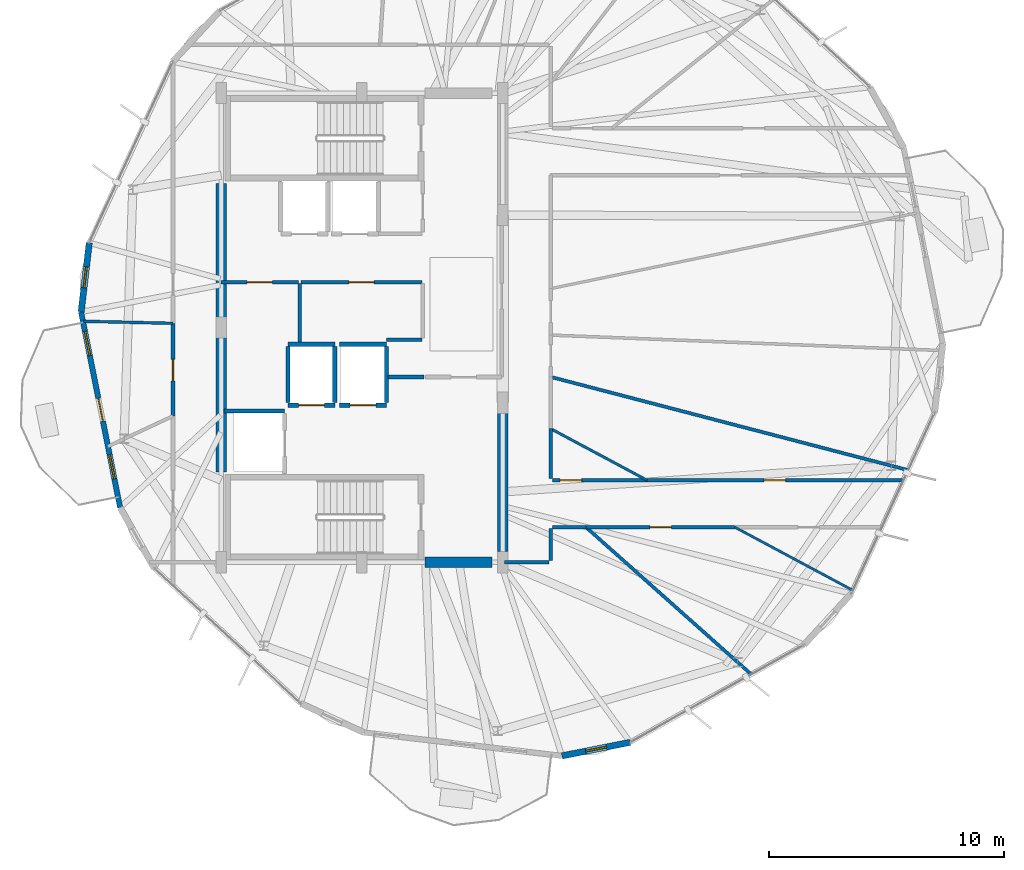
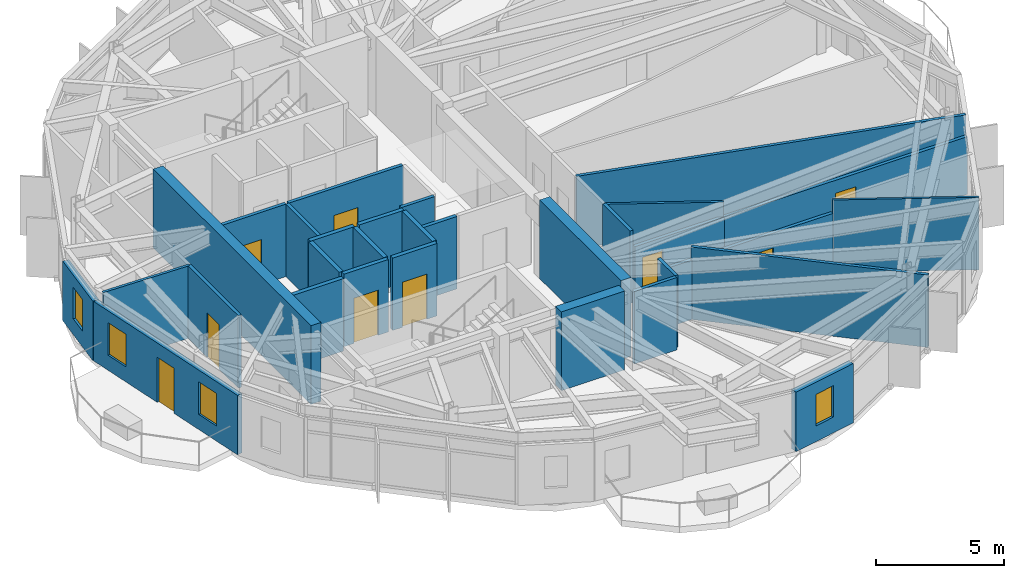
# One storey, part 20 of 25: 32 walls, 9 doors, 4 windows, 13 openings.
"""IFC4 building model written with IfcOpenShell, lengths in metres."""

from ifc_helpers import new_model, si_unit, direction, frame, frame_2d, origin, place, context, subcontext, project, spatial, rectangle, extrude, material, layer, layer_set, type_object, element, fill, save


model = new_model("IFC4")

# Units and contexts
model_context = context("Model", 3, precision=1e-05, world=origin(), true_north=direction((0.0, 1.0)))
body_context = subcontext(model_context, "Body", "Model", "MODEL_VIEW")
ifc_project = project(units=[si_unit("LENGTHUNIT", "METRE"), si_unit("AREAUNIT", "SQUARE_METRE"), si_unit("VOLUMEUNIT", "CUBIC_METRE"), si_unit("PLANEANGLEUNIT", "RADIAN"), si_unit("MASSUNIT", "GRAM", prefix="KILO")], contexts=[model_context])

# Site, building, storey
site_placement = place(None, origin())
site = spatial("IfcSite", under=ifc_project, at=site_placement, CompositionType="ELEMENT")
building_placement = place(site_placement, origin())
building = spatial("IfcBuilding", under=site, at=building_placement, Name="Soratama Intermodal Tower", CompositionType="ELEMENT")
storey_placement = place(building_placement, frame((0.0, 0.0, 272.5)))
storey = spatial("IfcBuildingStorey", under=building, at=storey_placement, Name="L69", CompositionType="ELEMENT", Elevation=272.5)

# Wall, openings, door, windows
ifc_material_1 = material(Name="Concrete f'c 42 MPa", Category="concrete")
ifc_layer_1 = layer(ifc_material_1, 0.22998046875)
ifc_layer_set_1 = layer_set([ifc_layer_1], Name="Concrete f'c 42 MPa")
wall_type_1 = type_object("IfcWallType", Name="EW-BAL-230", PredefinedType="SOLIDWALL", material=ifc_layer_set_1)
wall_1_placement = place(storey_placement, frame((26.63427734375, 25.67041015625, 0.0), z_axis=(0.0, 0.0, 1.0), x_axis=(0.195602411619, -0.980683280457, 0.0)))
wall_1 = element("IfcWall", 1, at=wall_1_placement, inside=storey, type_object=wall_type_1, Name="L69 Terrace Wall F04", PredefinedType="SOLIDWALL", context=body_context, shape_type="SweptSolid", body=[
    extrude(rectangle(XDim=8.5, YDim=0.22998046875, at=frame_2d((4.25, 0.0))), origin(), (0.0, 0.0, 1.0), 2.8291015625),
])
opening_1_placement = place(wall_1_placement, frame((3.75, 0.0, 0.0)))
opening_1 = element("IfcOpeningElement", 2, at=opening_1_placement, cuts=wall_1, Name="Opening ED-2", PredefinedType="OPENING", context=body_context, shape_type="SweptSolid", body=[
    extrude(rectangle(XDim=1.0, YDim=2.14990234375, at=frame_2d((0.5, 1.074951171875))), frame((0.0, 0.125, 0.0), z_axis=(0.0, -1.0, 0.0), x_axis=(1.0, 0.0, 0.0)), (0.0, 0.0, 1.0), 0.25),
])
opening_2_placement = place(wall_1_placement, frame((0.844970703125, 0.0, 0.719970703125)))
opening_2 = element("IfcOpeningElement", 3, at=opening_2_placement, cuts=wall_1, Name="Opening WN-5", PredefinedType="OPENING", context=body_context, shape_type="SweptSolid", body=[
    extrude(rectangle(XDim=1.050048828125, YDim=1.550048828125, at=frame_2d((0.52490234375, 0.77490234375))), frame((0.0, 0.125, 0.0), z_axis=(0.0, -1.0, 0.0), x_axis=(1.0, 0.0, 0.0)), (0.0, 0.0, 1.0), 0.25),
])
opening_3_placement = place(wall_1_placement, frame((6.19970703125, 0.0, 0.719970703125)))
opening_3 = element("IfcOpeningElement", 4, at=opening_3_placement, cuts=wall_1, Name="Opening WN-5", PredefinedType="OPENING", context=body_context, shape_type="SweptSolid", body=[
    extrude(rectangle(XDim=1.050048828125, YDim=1.550048828125, at=frame_2d((0.52490234375, 0.77490234375))), frame((0.0, 0.125, 0.0), z_axis=(0.0, -1.0, 0.0), x_axis=(1.0, 0.0, 0.0)), (0.0, 0.0, 1.0), 0.25),
])
ifc_material_2 = material(Name="Double-glazed aluminium door", Category="aluminium")
door_type_1 = type_object("IfcDoorType", Name="DR-BAL-1000", OperationType="NOTDEFINED", PredefinedType="DOOR", material=ifc_material_2)
door_1_placement = place(opening_1_placement, origin())
door_1 = element("IfcDoor", 5, at=door_1_placement, inside=storey, type_object=door_type_1, Name="L69 Balcony Door F04", OperationType="SINGLE_SWING_RIGHT", OverallHeight=2.14990234375, OverallWidth=1.0, PredefinedType="DOOR", context=body_context, shape_type="SweptSolid", body=[
    extrude(rectangle(XDim=1.0, YDim=2.14990234375, at=frame_2d((0.5, 1.074951171875))), frame((0.0, 0.02490234375, 0.0), z_axis=(0.0, -1.0, 0.0), x_axis=(1.0, 0.0, 0.0)), (0.0, 0.0, 1.0), 0.050048828125),
])
fill(opening_1, door_1)
ifc_material_3 = material(Name="Double-glazed aluminium window", Category="aluminium")
window_type_1 = type_object("IfcWindowType", Name="WN-FAC-1050", PartitioningType="SINGLE_PANEL", PredefinedType="WINDOW", material=ifc_material_3)
window_1_placement = place(opening_2_placement, origin())
window_1 = element("IfcWindow", 6, at=window_1_placement, inside=storey, type_object=window_type_1, Name="L69 Window A F04", OverallHeight=1.550048828125, OverallWidth=1.050048828125, PartitioningType="SINGLE_PANEL", PredefinedType="WINDOW", context=body_context, shape_type="SweptSolid", body=[
    extrude(rectangle(XDim=1.050048828125, YDim=1.550048828125, at=frame_2d((0.52490234375, 0.77490234375))), frame((0.0, 0.030029296875, 0.0), z_axis=(0.0, -1.0, 0.0), x_axis=(1.0, 0.0, 0.0)), (0.0, 0.0, 1.0), 0.06005859375),
])
fill(opening_2, window_1)
window_2_placement = place(opening_3_placement, origin())
window_2 = element("IfcWindow", 7, at=window_2_placement, inside=storey, type_object=window_type_1, Name="L69 Window B F04", OverallHeight=1.550048828125, OverallWidth=1.050048828125, PartitioningType="SINGLE_PANEL", PredefinedType="WINDOW", context=body_context, shape_type="SweptSolid", body=[
    extrude(rectangle(XDim=1.050048828125, YDim=1.550048828125, at=frame_2d((0.52490234375, 0.77490234375))), frame((0.0, 0.030029296875, 0.0), z_axis=(0.0, -1.0, 0.0), x_axis=(1.0, 0.0, 0.0)), (0.0, 0.0, 1.0), 0.06005859375),
])
fill(opening_3, window_2)

# Wall, opening, window
ifc_material_4 = material(Name="Concrete f'c 42 MPa", Category="concrete")
ifc_layer_2 = layer(ifc_material_4, 0.27001953125)
ifc_layer_set_2 = layer_set([ifc_layer_2], Name="Concrete f'c 42 MPa")
wall_type_2 = type_object("IfcWallType", Name="EW-CRN-270", PredefinedType="SOLIDWALL", material=ifc_layer_set_2)
wall_2_placement = place(storey_placement, frame((26.9814453125, 28.61669921875, 0.0), z_axis=(0.0, 0.0, 1.0), x_axis=(-0.11702268659, -0.993129241752, 0.0)))
wall_2 = element("IfcWall", 8, at=wall_2_placement, inside=storey, type_object=wall_type_2, Name="L69 Corner Closure Wall 03", PredefinedType="SOLIDWALL", context=body_context, shape_type="SweptSolid", body=[
    extrude(rectangle(XDim=2.966552734375, YDim=0.27001953125, at=frame_2d((1.4833984375, 0.0))), origin(), (0.0, 0.0, 1.0), 2.8291015625),
])
opening_4_placement = place(wall_2_placement, frame((1.033203125, 0.0, 0.75)))
opening_4 = element("IfcOpeningElement", 9, at=opening_4_placement, cuts=wall_2, Name="Opening WN-6", PredefinedType="OPENING", context=body_context, shape_type="SweptSolid", body=[
    extrude(rectangle(XDim=0.89990234375, YDim=1.5, at=frame_2d((0.449951171875, 0.75))), frame((0.0, 0.14501953125, 0.0), z_axis=(0.0, -1.0, 0.0), x_axis=(1.0, 0.0, 0.0)), (0.0, 0.0, 1.0), 0.2900390625),
])
ifc_material_5 = material(Name="Double-glazed aluminium window", Category="aluminium")
window_type_2 = type_object("IfcWindowType", Name="WN-FAC-900", PartitioningType="SINGLE_PANEL", PredefinedType="WINDOW", material=ifc_material_5)
window_3_placement = place(opening_4_placement, origin())
window_3 = element("IfcWindow", 10, at=window_3_placement, inside=storey, type_object=window_type_2, Name="L69 Corner Window 03", OverallHeight=1.5, OverallWidth=0.89990234375, PartitioningType="SINGLE_PANEL", PredefinedType="WINDOW", context=body_context, shape_type="SweptSolid", body=[
    extrude(rectangle(XDim=0.89990234375, YDim=1.5, at=frame_2d((0.449951171875, 0.75))), frame((0.0, 0.030029296875, 0.0), z_axis=(0.0, -1.0, 0.0), x_axis=(1.0, 0.0, 0.0)), (0.0, 0.0, 1.0), 0.06005859375),
])
fill(opening_4, window_3)

wall_3_placement = place(storey_placement, frame((47.12841796875, 6.74560546875, 0.0), z_axis=(0.0, 0.0, 1.0), x_axis=(0.980678679059, 0.195625480037, 0.0)))
wall_3 = element("IfcWall", 11, at=wall_3_placement, inside=storey, type_object=wall_type_2, Name="L69 Corner Closure Wall 06", PredefinedType="SOLIDWALL", context=body_context, shape_type="SweptSolid", body=[
    extrude(rectangle(XDim=2.966552734375, YDim=0.27001953125, at=frame_2d((1.4833984375, 0.0))), origin(), (0.0, 0.0, 1.0), 2.8291015625),
])
opening_5_placement = place(wall_3_placement, frame((1.033203125, 0.0, 0.75)))
opening_5 = element("IfcOpeningElement", 12, at=opening_5_placement, cuts=wall_3, Name="Opening WN-6", PredefinedType="OPENING", context=body_context, shape_type="SweptSolid", body=[
    extrude(rectangle(XDim=0.89990234375, YDim=1.5, at=frame_2d((0.449951171875, 0.75))), frame((0.0, 0.14501953125, 0.0), z_axis=(0.0, -1.0, 0.0), x_axis=(1.0, 0.0, 0.0)), (0.0, 0.0, 1.0), 0.2900390625),
])
window_4_placement = place(opening_5_placement, origin())
window_4 = element("IfcWindow", 13, at=window_4_placement, inside=storey, type_object=window_type_2, Name="L69 Corner Window 06", OverallHeight=1.5, OverallWidth=0.89990234375, PartitioningType="SINGLE_PANEL", PredefinedType="WINDOW", context=body_context, shape_type="SweptSolid", body=[
    extrude(rectangle(XDim=0.89990234375, YDim=1.5, at=frame_2d((0.449951171875, 0.75))), frame((0.0, 0.030029296875, 0.0), z_axis=(0.0, -1.0, 0.0), x_axis=(1.0, 0.0, 0.0)), (0.0, 0.0, 1.0), 0.06005859375),
])
fill(opening_5, window_4)

# Wall, opening, door
ifc_material_6 = material(Name="Fire-rated gypsum stud partition", Category="concrete")
ifc_layer_3 = layer(ifc_material_6, 0.14990234375)
ifc_layer_set_3 = layer_set([ifc_layer_3], Name="Fire-rated gypsum stud partition")
wall_type_3 = type_object("IfcWallType", Name="IW-PART-R150", PredefinedType="PARTITIONING", material=ifc_layer_set_3)
wall_4_placement = place(storey_placement, frame((50.7509765625, 18.5, 0.0), z_axis=(0.0, 0.0, 1.0), x_axis=(1.0, 0.0, 0.0)))
wall_4 = element("IfcWall", 14, at=wall_4_placement, inside=storey, type_object=wall_type_3, Name="L69 Partition W-L69-TP007", PredefinedType="PARTITIONING", context=body_context, shape_type="SweptSolid", body=[
    extrude(rectangle(XDim=10.93994140625, YDim=0.14990234375, at=frame_2d((5.469970703125, 0.0))), origin(), (0.0, 0.0, 1.0), 2.7451171875),
])
opening_6_placement = place(wall_4_placement, frame((4.9951171875, 0.0, 0.0)))
opening_6 = element("IfcOpeningElement", 15, at=opening_6_placement, cuts=wall_4, Name="Opening ID-6", PredefinedType="OPENING", context=body_context, shape_type="SweptSolid", body=[
    extrude(rectangle(XDim=0.919921875, YDim=2.1201171875, at=frame_2d((0.4599609375, 1.06005859375))), frame((0.0, 0.0849609375, 0.0), z_axis=(0.0, -1.0, 0.0), x_axis=(1.0, 0.0, 0.0)), (0.0, 0.0, 1.0), 0.169921875),
])
ifc_material_7 = material(Name="Solid hardwood acoustic door", Category="wood")
door_type_2 = type_object("IfcDoorType", Name="DR-ROOM-920", OperationType="NOTDEFINED", PredefinedType="DOOR", material=ifc_material_7)
door_2_placement = place(opening_6_placement, origin())
door_2 = element("IfcDoor", 16, at=door_2_placement, inside=storey, type_object=door_type_2, Name="L69 Door D-L69-TP004", OperationType="SINGLE_SWING_LEFT", OverallHeight=2.1201171875, OverallWidth=0.919921875, PredefinedType="DOOR", context=body_context, shape_type="SweptSolid", body=[
    extrude(rectangle(XDim=0.919921875, YDim=2.1201171875, at=frame_2d((0.4599609375, 1.06005859375))), frame((0.0, 0.02490234375, 0.0), z_axis=(0.0, -1.0, 0.0), x_axis=(1.0, 0.0, 0.0)), (0.0, 0.0, 1.0), 0.050048828125),
])
fill(opening_6, door_2)

wall_5_placement = place(storey_placement, frame((54.489013671875, 16.5, 0.0), z_axis=(0.0, 0.0, 1.0), x_axis=(-1.0, 0.0, 0.0)))
wall_5 = element("IfcWall", 17, at=wall_5_placement, inside=storey, type_object=wall_type_3, Name="L69 Partition W-L69-TP014", PredefinedType="PARTITIONING", context=body_context, shape_type="SweptSolid", body=[
    extrude(rectangle(XDim=6.340087890625, YDim=0.14990234375, at=frame_2d((3.169921875, 0.0))), origin(), (0.0, 0.0, 1.0), 2.827880859375),
])
opening_7_placement = place(wall_5_placement, frame((2.695068359375, 0.0, 0.0)))
opening_7 = element("IfcOpeningElement", 18, at=opening_7_placement, cuts=wall_5, Name="Opening ID-6", PredefinedType="OPENING", context=body_context, shape_type="SweptSolid", body=[
    extrude(rectangle(XDim=0.919921875, YDim=2.1201171875, at=frame_2d((0.4599609375, 1.06005859375))), frame((0.0, 0.0849609375, 0.0), z_axis=(0.0, -1.0, 0.0), x_axis=(1.0, 0.0, 0.0)), (0.0, 0.0, 1.0), 0.169921875),
])
door_3_placement = place(opening_7_placement, origin())
door_3 = element("IfcDoor", 19, at=door_3_placement, inside=storey, type_object=door_type_2, Name="L69 Door D-L69-TP008", OperationType="SINGLE_SWING_LEFT", OverallHeight=2.1201171875, OverallWidth=0.919921875, PredefinedType="DOOR", context=body_context, shape_type="SweptSolid", body=[
    extrude(rectangle(XDim=0.919921875, YDim=2.1201171875, at=frame_2d((0.4599609375, 1.06005859375))), frame((0.0, 0.02490234375, 0.0), z_axis=(0.0, -1.0, 0.0), x_axis=(1.0, 0.0, 0.0)), (0.0, 0.0, 1.0), 0.050048828125),
])
fill(opening_7, door_3)

wall_6_placement = place(storey_placement, frame((41.159912109375, 26.93994140625, 0.0), z_axis=(0.0, 0.0, 1.0), x_axis=(-1.0, 0.0, 0.0)))
wall_6 = element("IfcWall", 20, at=wall_6_placement, inside=storey, type_object=wall_type_3, Name="L69 Partition W-L69-TP019", PredefinedType="PARTITIONING", context=body_context, shape_type="SweptSolid", body=[
    extrude(rectangle(XDim=5.14990234375, YDim=0.14990234375, at=frame_2d((2.574951171875, 0.0))), origin(), (0.0, 0.0, 1.0), 3.449951171875),
])
opening_8_placement = place(wall_6_placement, frame((2.034912109375, 0.0, 0.0)))
opening_8 = element("IfcOpeningElement", 21, at=opening_8_placement, cuts=wall_6, Name="Opening ID-1", PredefinedType="OPENING", context=body_context, shape_type="SweptSolid", body=[
    extrude(rectangle(XDim=1.080078125, YDim=2.14990234375, at=frame_2d((0.5400390625, 1.074951171875))), frame((0.0, 0.0849609375, 0.0), z_axis=(0.0, -1.0, 0.0), x_axis=(1.0, 0.0, 0.0)), (0.0, 0.0, 1.0), 0.169921875),
])
ifc_material_8 = material(Name="Solid hardwood acoustic door", Category="wood")
door_type_3 = type_object("IfcDoorType", Name="DR-LOB-FD60", OperationType="NOTDEFINED", PredefinedType="DOOR", material=ifc_material_8)
door_4_placement = place(opening_8_placement, origin())
door_4 = element("IfcDoor", 22, at=door_4_placement, inside=storey, type_object=door_type_3, Name="L69 Door D-L69-TP010", OperationType="SINGLE_SWING_LEFT", OverallHeight=2.14990234375, OverallWidth=1.080078125, PredefinedType="DOOR", context=body_context, shape_type="SweptSolid", body=[
    extrude(rectangle(XDim=1.080078125, YDim=2.14990234375, at=frame_2d((0.5400390625, 1.074951171875))), frame((0.0, 0.02490234375, 0.0), z_axis=(0.0, -1.0, 0.0), x_axis=(1.0, 0.0, 0.0)), (0.0, 0.0, 1.0), 0.050048828125),
])
fill(opening_8, door_4)

wall_7_placement = place(storey_placement, frame((46.719970703125, 18.5, 0.0), z_axis=(0.0, 0.0, 1.0), x_axis=(1.0, 0.0, 0.0)))
wall_7 = element("IfcWall", 23, at=wall_7_placement, inside=storey, type_object=wall_type_3, Name="L69 Partition W-L69-TP023", PredefinedType="PARTITIONING", context=body_context, shape_type="SweptSolid", body=[
    extrude(rectangle(XDim=4.031005859375, YDim=0.14990234375, at=frame_2d((2.015625, 0.0))), origin(), (0.0, 0.0, 1.0), 2.7451171875),
])
opening_9_placement = place(wall_7_placement, frame((0.3310546875, 0.0, 0.0)))
opening_9 = element("IfcOpeningElement", 24, at=opening_9_placement, cuts=wall_7, Name="Opening ID-6", PredefinedType="OPENING", context=body_context, shape_type="SweptSolid", body=[
    extrude(rectangle(XDim=0.919921875, YDim=2.1201171875, at=frame_2d((0.4599609375, 1.06005859375))), frame((0.0, 0.0849609375, 0.0), z_axis=(0.0, -1.0, 0.0), x_axis=(1.0, 0.0, 0.0)), (0.0, 0.0, 1.0), 0.169921875),
])
door_5_placement = place(opening_9_placement, origin())
door_5 = element("IfcDoor", 25, at=door_5_placement, inside=storey, type_object=door_type_2, Name="L69 Door D-L69-TP012", OperationType="SINGLE_SWING_LEFT", OverallHeight=2.1201171875, OverallWidth=0.919921875, PredefinedType="DOOR", context=body_context, shape_type="SweptSolid", body=[
    extrude(rectangle(XDim=0.919921875, YDim=2.1201171875, at=frame_2d((0.4599609375, 1.06005859375))), frame((0.0, 0.02490234375, 0.0), z_axis=(0.0, -1.0, 0.0), x_axis=(1.0, 0.0, 0.0)), (0.0, 0.0, 1.0), 0.050048828125),
])
fill(opening_9, door_5)

wall_8_placement = place(storey_placement, frame((30.550048828125, 21.23388671875, 0.0), z_axis=(0.0, 0.0, 1.0), x_axis=(0.0, 1.0, 0.0)))
wall_8 = element("IfcWall", 26, at=wall_8_placement, inside=storey, type_object=wall_type_3, Name="L69 Partition W-L69-TP024", PredefinedType="PARTITIONING", context=body_context, shape_type="SweptSolid", body=[
    extrude(rectangle(XDim=3.951171875, YDim=0.14990234375, at=frame_2d((1.9755859375, 0.0))), origin(), (0.0, 0.0, 1.0), 3.449951171875),
])
opening_10_placement = place(wall_8_placement, frame((1.5, 0.0, 0.0)))
opening_10 = element("IfcOpeningElement", 27, at=opening_10_placement, cuts=wall_8, Name="Opening ID-6", PredefinedType="OPENING", context=body_context, shape_type="SweptSolid", body=[
    extrude(rectangle(XDim=0.919921875, YDim=2.1201171875, at=frame_2d((0.4599609375, 1.06005859375))), frame((0.0, 0.0849609375, 0.0), z_axis=(0.0, -1.0, 0.0), x_axis=(1.0, 0.0, 0.0)), (0.0, 0.0, 1.0), 0.169921875),
])
door_6_placement = place(opening_10_placement, origin())
door_6 = element("IfcDoor", 28, at=door_6_placement, inside=storey, type_object=door_type_2, Name="L69 Door D-L69-TP013", OperationType="SINGLE_SWING_RIGHT", OverallHeight=2.1201171875, OverallWidth=0.919921875, PredefinedType="DOOR", context=body_context, shape_type="SweptSolid", body=[
    extrude(rectangle(XDim=0.919921875, YDim=2.1201171875, at=frame_2d((0.4599609375, 1.06005859375))), frame((0.0, 0.02490234375, 0.0), z_axis=(0.0, -1.0, 0.0), x_axis=(1.0, 0.0, 0.0)), (0.0, 0.0, 1.0), 0.050048828125),
])
fill(opening_10, door_6)

wall_9_placement = place(storey_placement, frame((35.889892578125, 26.93994140625, 0.0), z_axis=(0.0, 0.0, 1.0), x_axis=(-1.0, 0.0, 0.0)))
wall_9 = element("IfcWall", 29, at=wall_9_placement, inside=storey, type_object=wall_type_3, Name="L69 Partition W-L69-TP026", PredefinedType="PARTITIONING", context=body_context, shape_type="SweptSolid", body=[
    extrude(rectangle(XDim=3.289794921875, YDim=0.14990234375, at=frame_2d((1.64501953125, 0.0))), origin(), (0.0, 0.0, 1.0), 3.449951171875),
])
opening_11_placement = place(wall_9_placement, frame((1.10498046875, 0.0, 0.0)))
opening_11 = element("IfcOpeningElement", 30, at=opening_11_placement, cuts=wall_9, Name="Opening ID-1", PredefinedType="OPENING", context=body_context, shape_type="SweptSolid", body=[
    extrude(rectangle(XDim=1.080078125, YDim=2.14990234375, at=frame_2d((0.5400390625, 1.074951171875))), frame((0.0, 0.0849609375, 0.0), z_axis=(0.0, -1.0, 0.0), x_axis=(1.0, 0.0, 0.0)), (0.0, 0.0, 1.0), 0.169921875),
])
door_7_placement = place(opening_11_placement, origin())
door_7 = element("IfcDoor", 31, at=door_7_placement, inside=storey, type_object=door_type_3, Name="L69 Door D-L69-TP014", OperationType="SINGLE_SWING_LEFT", OverallHeight=2.14990234375, OverallWidth=1.080078125, PredefinedType="DOOR", context=body_context, shape_type="SweptSolid", body=[
    extrude(rectangle(XDim=1.080078125, YDim=2.14990234375, at=frame_2d((0.5400390625, 1.074951171875))), frame((0.0, 0.02490234375, 0.0), z_axis=(0.0, -1.0, 0.0), x_axis=(1.0, 0.0, 0.0)), (0.0, 0.0, 1.0), 0.050048828125),
])
fill(opening_11, door_7)

# Walls
wall_10_placement = place(storey_placement, frame((35.949951171875, 26.8798828125, 0.0), z_axis=(0.0, 0.0, 1.0), x_axis=(0.0, -1.0, 0.0)))
element("IfcWall", 32, at=wall_10_placement, inside=storey, type_object=wall_type_3, Name="L69 Partition W-L69-TP031", PredefinedType="PARTITIONING", context=body_context, shape_type="SweptSolid", body=[
    extrude(rectangle(XDim=2.579833984375, YDim=0.14990234375, at=frame_2d((1.2900390625, 0.0))), origin(), (0.0, 0.0, 1.0), 3.449951171875),
])
wall_11_placement = place(storey_placement, frame((46.64990234375, 20.694091796875, 0.0), z_axis=(0.0, 0.0, 1.0), x_axis=(0.0, -1.0, 0.0)))
element("IfcWall", 33, at=wall_11_placement, inside=storey, type_object=wall_type_3, Name="L69 Partition W-L69-TP036", PredefinedType="PARTITIONING", context=body_context, shape_type="SweptSolid", body=[
    extrude(rectangle(XDim=2.1240234375, YDim=0.14990234375, at=frame_2d((1.06201171875, 0.0))), origin(), (0.0, 0.0, 1.0), 3.449951171875),
])
wall_12_placement = place(storey_placement, frame((46.580078125, 15.0, 0.0), z_axis=(0.0, 0.0, 1.0), x_axis=(-1.0, 0.0, 0.0)))
element("IfcWall", 34, at=wall_12_placement, inside=storey, type_object=wall_type_3, Name="L69 Partition W-L69-TP038", PredefinedType="PARTITIONING", context=body_context, shape_type="SweptSolid", body=[
    extrude(rectangle(XDim=1.91015625, YDim=0.14990234375, at=frame_2d((0.955078125, 0.0))), origin(), (0.0, 0.0, 1.0), 3.449951171875),
])
wall_13_placement = place(storey_placement, frame((39.64990234375, 24.485107421875, 0.0), z_axis=(0.0, 0.0, 1.0), x_axis=(1.0, 0.0, 0.0)))
element("IfcWall", 35, at=wall_13_placement, inside=storey, type_object=wall_type_3, Name="L69 Partition W-L69-TP044", PredefinedType="PARTITIONING", context=body_context, shape_type="SweptSolid", body=[
    extrude(rectangle(XDim=1.510009765625, YDim=0.14990234375, at=frame_2d((0.7548828125, 0.0))), origin(), (0.0, 0.0, 1.0), 3.449951171875),
])
wall_14_placement = place(storey_placement, frame((48.14892578125, 16.5, 0.0), z_axis=(0.0, 0.0, 1.0), x_axis=(-1.0, 0.0, 0.0)))
element("IfcWall", 36, at=wall_14_placement, inside=storey, type_object=wall_type_3, Name="L69 Partition W-L69-TP045", PredefinedType="PARTITIONING", context=body_context, shape_type="SweptSolid", body=[
    extrude(rectangle(XDim=1.428955078125, YDim=0.14990234375, at=frame_2d((0.71435546875, 0.0))), origin(), (0.0, 0.0, 1.0), 2.827880859375),
])
wall_15_placement = place(storey_placement, frame((46.64990234375, 16.429931640625, 0.0), z_axis=(0.0, 0.0, 1.0), x_axis=(0.0, -1.0, 0.0)))
element("IfcWall", 37, at=wall_15_placement, inside=storey, type_object=wall_type_3, Name="L69 Partition W-L69-TP046", PredefinedType="PARTITIONING", context=body_context, shape_type="SweptSolid", body=[
    extrude(rectangle(XDim=1.35986328125, YDim=0.14990234375, at=frame_2d((0.679931640625, 0.0))), origin(), (0.0, 0.0, 1.0), 3.449951171875),
])
ifc_material_9 = material(Name="Fire-rated gypsum stud partition", Category="concrete")
ifc_layer_4 = layer(ifc_material_9, 0.169921875)
ifc_layer_set_4 = layer_set([ifc_layer_4], Name="Fire-rated gypsum stud partition")
wall_type_4 = type_object("IfcWallType", Name="IW-PART-R170", PredefinedType="PARTITIONING", material=ifc_layer_set_4)
wall_16_placement = place(storey_placement, frame((39.719970703125, 22.889892578125, 0.0), z_axis=(0.0, 0.0, 1.0), x_axis=(1.0, 0.0, 0.0)))
element("IfcWall", 38, at=wall_16_placement, inside=storey, type_object=wall_type_4, Name="L69 Partition W-L69-TP043", PredefinedType="PARTITIONING", context=body_context, shape_type="SweptSolid", body=[
    extrude(rectangle(XDim=1.52001953125, YDim=0.169921875, at=frame_2d((0.760009765625, 0.0))), origin(), (0.0, 0.0, 1.0), 3.449951171875),
])
ifc_material_10 = material(Name="Fire-rated gypsum stud partition", Category="concrete")
ifc_layer_5 = layer(ifc_material_10, 0.10009765625)
ifc_layer_set_5 = layer_set([ifc_layer_5], Name="Fire-rated gypsum stud partition")
wall_type_5 = type_object("IfcWallType", Name="IW-PART-S100", PredefinedType="PARTITIONING", material=ifc_layer_set_5)
wall_17_placement = place(storey_placement, frame((54.489013671875, 16.5, 0.0), z_axis=(0.0, 0.0, 1.0), x_axis=(0.881769355999, -0.471680827277, 0.0)))
element("IfcWall", 39, at=wall_17_placement, inside=storey, type_object=wall_type_5, Name="L69 Partition W-L69-TP017", PredefinedType="PARTITIONING", context=body_context, shape_type="SweptSolid", body=[
    extrude(rectangle(XDim=5.7158203125, YDim=0.10009765625, at=frame_2d((2.85791015625, 0.0))), origin(), (0.0, 0.0, 1.0), 3.449951171875),
])
ifc_material_11 = material(Name="Fire-rated gypsum stud partition", Category="concrete")
ifc_layer_6 = layer(ifc_material_11, 0.110107421875)
ifc_layer_set_6 = layer_set([ifc_layer_6], Name="Fire-rated gypsum stud partition")
wall_type_6 = type_object("IfcWallType", Name="IW-PART-S110", PredefinedType="PARTITIONING", material=ifc_layer_set_6)
wall_18_placement = place(storey_placement, frame((46.64990234375, 20.694091796875, 0.0), z_axis=(0.0, 0.0, 1.0), x_axis=(0.88174046898, -0.47173482526, 0.0)))
element("IfcWall", 40, at=wall_18_placement, inside=storey, type_object=wall_type_6, Name="L69 Partition W-L69-TP021", PredefinedType="PARTITIONING", context=body_context, shape_type="SweptSolid", body=[
    extrude(rectangle(XDim=4.651123046875, YDim=0.110107421875, at=frame_2d((2.32568359375, 0.0))), origin(), (0.0, 0.0, 1.0), 3.449951171875),
])
ifc_material_12 = material(Name="Fire-rated gypsum stud partition", Category="concrete")
ifc_layer_7 = layer(ifc_material_12, 0.1201171875)
ifc_layer_set_7 = layer_set([ifc_layer_7], Name="Fire-rated gypsum stud partition")
wall_type_7 = type_object("IfcWallType", Name="IW-PART-S120", PredefinedType="PARTITIONING", material=ifc_layer_set_7)
wall_19_placement = place(storey_placement, frame((30.550048828125, 25.18505859375, 0.0), z_axis=(0.0, 0.0, 1.0), x_axis=(-0.99973778058, 0.022899128397, 0.0)))
element("IfcWall", 41, at=wall_19_placement, inside=storey, type_object=wall_type_7, Name="L69 Partition W-L69-TP025", PredefinedType="PARTITIONING", context=body_context, shape_type="SweptSolid", body=[
    extrude(rectangle(XDim=3.838134765625, YDim=0.1201171875, at=frame_2d((1.9189453125, 0.0))), origin(), (0.0, 0.0, 1.0), 3.449951171875),
])
ifc_material_13 = material(Name="Fire-rated gypsum stud partition", Category="concrete")
ifc_layer_8 = layer(ifc_material_13, 0.139892578125)
ifc_layer_set_8 = layer_set([ifc_layer_8], Name="Fire-rated gypsum stud partition")
wall_type_8 = type_object("IfcWallType", Name="IW-PART-S140", PredefinedType="PARTITIONING", material=ifc_layer_set_8)
wall_20_placement = place(storey_placement, frame((46.64990234375, 22.90087890625, 0.0), z_axis=(0.0, 0.0, 1.0), x_axis=(0.967652002087, -0.252288729151, 0.0)))
element("IfcWall", 42, at=wall_20_placement, inside=storey, type_object=wall_type_8, Name="L69 Partition W-L69-TP003", PredefinedType="PARTITIONING", context=body_context, shape_type="SweptSolid", body=[
    extrude(rectangle(XDim=15.747314453125, YDim=0.139892578125, at=frame_2d((7.87353515625, 0.0))), origin(), (0.0, 0.0, 1.0), 3.449951171875),
])
wall_21_placement = place(storey_placement, frame((48.14892578125, 16.5, 0.0), z_axis=(0.0, 0.0, 1.0), x_axis=(0.746851278403, -0.664991103661, 0.0)))
element("IfcWall", 43, at=wall_21_placement, inside=storey, type_object=wall_type_8, Name="L69 Partition W-L69-TP008", PredefinedType="PARTITIONING", context=body_context, shape_type="SweptSolid", body=[
    extrude(rectangle(XDim=9.4423828125, YDim=0.139892578125, at=frame_2d((4.72119140625, 0.0))), origin(), (0.0, 0.0, 1.0), 3.449951171875),
])

# Wall, opening, door
ifc_material_14 = material(Name="Concrete f'c 42 MPa", Category="concrete")
ifc_layer_9 = layer(ifc_material_14, 0.18505859375)
ifc_layer_set_9 = layer_set([ifc_layer_9], Name="Concrete f'c 42 MPa")
wall_type_9 = type_object("IfcWallType", Name="IW-SHAFT-185", PredefinedType="SOLIDWALL", material=ifc_layer_set_9)
wall_22_placement = place(storey_placement, frame((35.449951171875, 21.699951171875, 0.0), z_axis=(0.0, 0.0, 1.0), x_axis=(1.0, 0.0, 0.0)))
wall_22 = element("IfcWall", 44, at=wall_22_placement, inside=storey, type_object=wall_type_9, Name="L69 FFL-1 Hoistway Wall S", PredefinedType="SOLIDWALL", context=body_context, shape_type="SweptSolid", body=[
    extrude(rectangle(XDim=2.0, YDim=0.18505859375, at=frame_2d((1.0, 0.0))), origin(), (0.0, 0.0, 1.0), 3.449951171875),
])
opening_12_placement = place(wall_22_placement, frame((0.449951171875, 0.0, 0.0)))
opening_12 = element("IfcOpeningElement", 45, at=opening_12_placement, cuts=wall_22, Name="Opening LD-1", PredefinedType="OPENING", context=body_context, shape_type="SweptSolid", body=[
    extrude(rectangle(XDim=1.10009765625, YDim=2.14990234375, at=frame_2d((0.550048828125, 1.074951171875))), frame((0.0, 0.1025390625, 0.0), z_axis=(0.0, -1.0, 0.0), x_axis=(1.0, 0.0, 0.0)), (0.0, 0.0, 1.0), 0.205078125),
])
ifc_material_15 = material(Name="Steel fire door", Category="steel")
door_type_4 = type_object("IfcDoorType", Name="DR-LIFT-SLIDE", OperationType="NOTDEFINED", PredefinedType="DOOR", material=ifc_material_15)
door_8_placement = place(opening_12_placement, origin())
door_8 = element("IfcDoor", 46, at=door_8_placement, inside=storey, type_object=door_type_4, Name="L69 FFL-1 Sliding Landing Door", OperationType="SLIDING_TO_LEFT", OverallHeight=2.14990234375, OverallWidth=1.10009765625, PredefinedType="DOOR", context=body_context, shape_type="SweptSolid", body=[
    extrude(rectangle(XDim=1.10009765625, YDim=2.14990234375, at=frame_2d((0.550048828125, 1.074951171875))), frame((0.0, 0.02490234375, 0.0), z_axis=(0.0, -1.0, 0.0), x_axis=(1.0, 0.0, 0.0)), (0.0, 0.0, 1.0), 0.050048828125),
])
fill(opening_12, door_8)

# Walls
wall_23_placement = place(storey_placement, frame((35.449951171875, 24.300048828125, 0.0), z_axis=(0.0, 0.0, 1.0), x_axis=(1.0, 0.0, 0.0)))
element("IfcWall", 47, at=wall_23_placement, inside=storey, type_object=wall_type_9, Name="L69 FFL-1 Hoistway Wall N", PredefinedType="SOLIDWALL", context=body_context, shape_type="SweptSolid", body=[
    extrude(rectangle(XDim=2.0, YDim=0.18505859375, at=frame_2d((1.0, 0.0))), origin(), (0.0, 0.0, 1.0), 3.449951171875),
])
for number, where, z_axis, x_axis, name in (
    (48, (35.449951171875, 21.81005859375, 0.0), (0.0, 0.0, 1.0), (0.0, 1.0, 0.0), "L69 FFL-1 Hoistway Wall W"),
    (49, (37.449951171875, 21.81005859375, 0.0), (0.0, 0.0, 1.0), (0.0, 1.0, 0.0), "L69 FFL-1 Hoistway Wall E"),
):
    element("IfcWall", number, at=place(storey_placement, frame(where, z_axis=z_axis, x_axis=x_axis)), inside=storey, type_object=wall_type_9, Name=name, PredefinedType="SOLIDWALL", context=body_context, shape_type="SweptSolid", body=[
        extrude(rectangle(XDim=2.3798828125, YDim=0.18505859375, at=frame_2d((1.18994140625, 0.0))), origin(), (0.0, 0.0, 1.0), 3.449951171875),
    ])

# Wall, opening, door
wall_24_placement = place(storey_placement, frame((37.64990234375, 21.699951171875, 0.0), z_axis=(0.0, 0.0, 1.0), x_axis=(1.0, 0.0, 0.0)))
wall_24 = element("IfcWall", 50, at=wall_24_placement, inside=storey, type_object=wall_type_9, Name="L69 FFL-2 Hoistway Wall S", PredefinedType="SOLIDWALL", context=body_context, shape_type="SweptSolid", body=[
    extrude(rectangle(XDim=2.0, YDim=0.18505859375, at=frame_2d((1.0, 0.0))), origin(), (0.0, 0.0, 1.0), 3.449951171875),
])
opening_13_placement = place(wall_24_placement, frame((0.449951171875, 0.0, 0.0)))
opening_13 = element("IfcOpeningElement", 51, at=opening_13_placement, cuts=wall_24, Name="Opening LD-1", PredefinedType="OPENING", context=body_context, shape_type="SweptSolid", body=[
    extrude(rectangle(XDim=1.10009765625, YDim=2.14990234375, at=frame_2d((0.550048828125, 1.074951171875))), frame((0.0, 0.1025390625, 0.0), z_axis=(0.0, -1.0, 0.0), x_axis=(1.0, 0.0, 0.0)), (0.0, 0.0, 1.0), 0.205078125),
])
door_9_placement = place(opening_13_placement, origin())
door_9 = element("IfcDoor", 52, at=door_9_placement, inside=storey, type_object=door_type_4, Name="L69 FFL-2 Sliding Landing Door", OperationType="SLIDING_TO_LEFT", OverallHeight=2.14990234375, OverallWidth=1.10009765625, PredefinedType="DOOR", context=body_context, shape_type="SweptSolid", body=[
    extrude(rectangle(XDim=1.10009765625, YDim=2.14990234375, at=frame_2d((0.550048828125, 1.074951171875))), frame((0.0, 0.02490234375, 0.0), z_axis=(0.0, -1.0, 0.0), x_axis=(1.0, 0.0, 0.0)), (0.0, 0.0, 1.0), 0.050048828125),
])
fill(opening_13, door_9)

# Walls
wall_25_placement = place(storey_placement, frame((37.64990234375, 24.300048828125, 0.0), z_axis=(0.0, 0.0, 1.0), x_axis=(1.0, 0.0, 0.0)))
element("IfcWall", 53, at=wall_25_placement, inside=storey, type_object=wall_type_9, Name="L69 FFL-2 Hoistway Wall N", PredefinedType="SOLIDWALL", context=body_context, shape_type="SweptSolid", body=[
    extrude(rectangle(XDim=2.0, YDim=0.18505859375, at=frame_2d((1.0, 0.0))), origin(), (0.0, 0.0, 1.0), 3.449951171875),
])
wall_26_placement = place(storey_placement, frame((39.64990234375, 21.81005859375, 0.0), z_axis=(0.0, 0.0, 1.0), x_axis=(0.0, 1.0, 0.0)))
element("IfcWall", 54, at=wall_26_placement, inside=storey, type_object=wall_type_9, Name="L69 FFL-2 Hoistway Wall E", PredefinedType="SOLIDWALL", context=body_context, shape_type="SweptSolid", body=[
    extrude(rectangle(XDim=2.3798828125, YDim=0.18505859375, at=frame_2d((1.18994140625, 0.0))), origin(), (0.0, 0.0, 1.0), 3.449951171875),
])
wall_27_placement = place(storey_placement, frame((32.719970703125, 21.449951171875, 0.0), z_axis=(0.0, 0.0, 1.0), x_axis=(1.0, 0.0, 0.0)))
element("IfcWall", 55, at=wall_27_placement, inside=storey, type_object=wall_type_9, Name="L69 SVL-1 Hoistway Wall N", PredefinedType="SOLIDWALL", context=body_context, shape_type="SweptSolid", body=[
    extrude(rectangle(XDim=2.580078125, YDim=0.18505859375, at=frame_2d((1.2900390625, 0.0))), origin(), (0.0, 0.0, 1.0), 3.449951171875),
])
ifc_material_16 = material(Name="Concrete f'c 56 MPa", Category="concrete")
ifc_layer_10 = layer(ifc_material_16, 0.449951171875)
ifc_layer_set_10 = layer_set([ifc_layer_10], Name="Concrete f'c 56 MPa")
wall_type_10 = type_object("IfcWallType", Name="SW-CORE-450", PredefinedType="SHEAR", material=ifc_layer_set_10)
wall_28_placement = place(storey_placement, frame((32.60009765625, 18.85009765625, 0.0), z_axis=(0.0, 0.0, 1.0), x_axis=(0.0, 1.0, 0.0)))
element("IfcWall", 56, at=wall_28_placement, inside=storey, type_object=wall_type_10, Name="L69 Core Shear Wall CW-WMID", PredefinedType="SHEAR", context=body_context, shape_type="SweptSolid", body=[
    extrude(rectangle(XDim=12.2998046875, YDim=0.449951171875, at=frame_2d((6.14990234375, 0.0))), origin(), (0.0, 0.0, 1.0), 3.75),
])
wall_29_placement = place(storey_placement, frame((41.300048828125, 15.0, 0.0), z_axis=(0.0, 0.0, 1.0), x_axis=(1.0, 0.0, 0.0)))
element("IfcWall", 57, at=wall_29_placement, inside=storey, type_object=wall_type_10, Name="L69 Core Shear Wall CW-SE", PredefinedType="SHEAR", context=body_context, shape_type="SweptSolid", body=[
    extrude(rectangle(XDim=2.849853515625, YDim=0.449951171875, at=frame_2d((1.4248046875, 0.0))), origin(), (0.0, 0.0, 1.0), 3.75),
])
wall_30_placement = place(storey_placement, frame((44.60009765625, 15.449951171875, 0.0), z_axis=(0.0, 0.0, 1.0), x_axis=(0.0, 1.0, 0.0)))
element("IfcWall", 58, at=wall_30_placement, inside=storey, type_object=wall_type_10, Name="L69 Core Shear Wall CW-ES", PredefinedType="SHEAR", context=body_context, shape_type="SweptSolid", body=[
    extrude(rectangle(XDim=6.35009765625, YDim=0.449951171875, at=frame_2d((3.175048828125, 0.0))), origin(), (0.0, 0.0, 1.0), 3.75),
])

save(model, "model.ifc")
